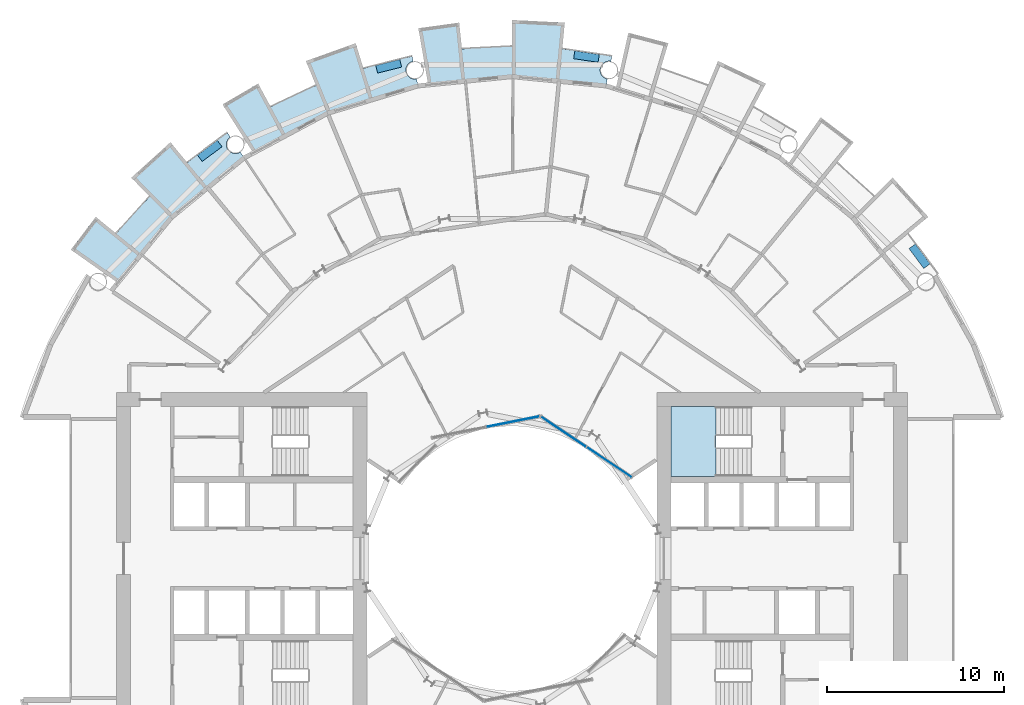
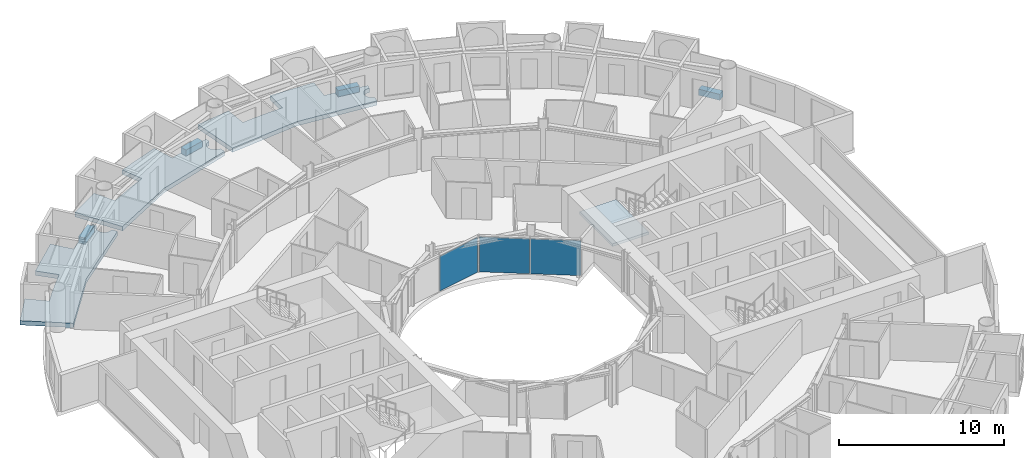
# One storey, part 11 of 26: 8 slabs, 3 plates, 3 elements without a shape of their own.
"""IFC4 building model written with IfcOpenShell, lengths in metres."""

from ifc_helpers import new_model, si_unit, direction, frame, origin, origin_2d, place, context, subcontext, project, spatial, polyline, rectangle, outline, extrude, material, layer, layer_set, type_object, element, aggregate, save


model = new_model("IFC4")

# Units and contexts
model_context = context("Model", 3, precision=1e-05, world=origin(), true_north=direction((0.0, 1.0)))
body_context = subcontext(model_context, "Body", "Model", "MODEL_VIEW")
ifc_project = project(units=[si_unit("LENGTHUNIT", "METRE"), si_unit("AREAUNIT", "SQUARE_METRE"), si_unit("VOLUMEUNIT", "CUBIC_METRE"), si_unit("PLANEANGLEUNIT", "RADIAN"), si_unit("MASSUNIT", "GRAM", prefix="KILO")], contexts=[model_context])

# Site, building, storey
site_placement = place(None, origin())
site = spatial("IfcSite", under=ifc_project, at=site_placement, CompositionType="ELEMENT")
building_placement = place(site_placement, origin())
building = spatial("IfcBuilding", under=site, at=building_placement, Name="Maasbend Ring Residences", CompositionType="ELEMENT")
storey_placement = place(building_placement, frame((0.0, 0.0, 31.949951171875)))
storey = spatial("IfcBuildingStorey", under=building, at=storey_placement, Name="L08", CompositionType="ELEMENT", Elevation=31.949951171875)

# Stair, slab
ifc_material_1 = material(Name="Concrete C40/50", Category="concrete")
stair_type = type_object("IfcStairType", Name="CORE STAIR 18 RISERS", PredefinedType="HALF_TURN_STAIR", material=ifc_material_1)
stair_placement = place(storey_placement, origin())
stair = element("IfcStair", 1, at=stair_placement, inside=storey, type_object=stair_type, Name="L08 Exit stair ST-E1", PredefinedType="HALF_TURN_STAIR")
ifc_material_2 = material(Name="Concrete C40/50", Category="concrete")
ifc_layer_1 = layer(ifc_material_2, 0.199951171875)
ifc_layer_set_1 = layer_set([ifc_layer_1], Name="Concrete C40/50")
slab_type_1 = type_object("IfcSlabType", Name="CORE STAIR LANDING 200", PredefinedType="LANDING", material=ifc_layer_set_1)
slab_1_placement = place(storey_placement, frame((0.0, 0.0, 1.324951171875)))
slab_1 = element("IfcSlab", 2, at=slab_1_placement, type_object=slab_type_1, Name="ST-E1 landing 1", PredefinedType="LANDING", context=body_context, shape_type="SweptSolid", body=[
    extrude(outline(polyline([(11.550048828125, 8.60009765625), (9.0, 8.60009765625), (9.0, 4.64990234375), (11.550048828125, 4.64990234375), (11.550048828125, 8.60009765625)])), origin(), (0.0, 0.0, 1.0), 0.2001953125),
])
aggregate(stair, [slab_1])

# Curtain wall, plates
ifc_material_3 = material(Name="Aluminium and clear glass", Category="aluminium")
ifc_layer_2 = layer(ifc_material_3, 0.179931640625)
ifc_layer_set_2 = layer_set([ifc_layer_2], Name="CW-W")
curtain_wall_type = type_object("IfcCurtainWallType", Name="CW-W", PredefinedType="NOTDEFINED", material=ifc_layer_set_2)
curtain_wall_1_placement = place(storey_placement, origin())
curtain_wall_1 = element("IfcCurtainWall", 3, at=curtain_wall_1_placement, inside=storey, type_object=curtain_wall_type, Name="Well curtain wall N1", PredefinedType="NOTDEFINED")
ifc_material_4 = material(Name="Glass clear laminated", Category="glass")
ifc_layer_3 = layer(ifc_material_4, 0.031982421875)
ifc_layer_set_3 = layer_set([ifc_layer_3], Name="CWP-W")
plate_type = type_object("IfcPlateType", Name="CWP-W", PredefinedType="CURTAIN_PANEL", material=ifc_layer_set_3)
plate_1_placement = place(storey_placement, frame((5.51123046875, 5.44580078125, 0.0), z_axis=(0.0, 0.0, 1.0), x_axis=(-0.831469612303, 0.55557023302, 0.0)))
plate_1 = element("IfcPlate", 4, at=plate_1_placement, type_object=plate_type, Name="Glass panel well face", PredefinedType="CURTAIN_PANEL", context=body_context, shape_type="SweptSolid", body=[
    extrude(rectangle(XDim=3.053955078125, YDim=0.031982421875, at=origin_2d()), origin(), (0.0, 0.0, 1.0), 2.580078125),
])
plate_2_placement = place(storey_placement, frame((2.922119140625, 7.17578125, 0.0), z_axis=(0.0, 0.0, 1.0), x_axis=(-0.831469612303, 0.55557023302, 0.0)))
plate_2 = element("IfcPlate", 5, at=plate_2_placement, type_object=plate_type, Name="Glass panel well face", PredefinedType="CURTAIN_PANEL", context=body_context, shape_type="SweptSolid", body=[
    extrude(rectangle(XDim=3.053955078125, YDim=0.031982421875, at=origin_2d()), origin(), (0.0, 0.0, 1.0), 2.580078125),
])
aggregate(curtain_wall_1, [plate_1, plate_2])

# Curtain wall, plate
curtain_wall_2_placement = place(storey_placement, origin())
curtain_wall_2 = element("IfcCurtainWall", 6, at=curtain_wall_2_placement, inside=storey, type_object=curtain_wall_type, Name="Well curtain wall N2", PredefinedType="NOTDEFINED")
plate_3_placement = place(storey_placement, frame((0.04638671875, 7.747802734375, 0.0), z_axis=(0.0, 0.0, 1.0), x_axis=(-0.980785280403, -0.195090322016, 0.0)))
plate_3 = element("IfcPlate", 7, at=plate_3_placement, type_object=plate_type, Name="Glass panel well face", PredefinedType="CURTAIN_PANEL", context=body_context, shape_type="SweptSolid", body=[
    extrude(rectangle(XDim=3.053955078125, YDim=0.031982421875, at=origin_2d()), origin(), (0.0, 0.0, 1.0), 2.580078125),
])
aggregate(curtain_wall_2, [plate_3])

# Slabs
ifc_material_5 = material(Name="Planting with climbing greenery")
ifc_layer_4 = layer(ifc_material_5, 0.449951171875)
ifc_layer_set_4 = layer_set([ifc_layer_4], Name="PLANTER-LG")
slab_type_2 = type_object("IfcSlabType", Name="PLANTER-LG", PredefinedType="USERDEFINED", material=ifc_layer_set_4)
slab_2_placement = place(storey_placement, frame((0.0, 0.0, -0.030029296875)))
element("IfcSlab", 8, at=slab_2_placement, inside=storey, type_object=slab_type_2, Name="Planter with climbing greenery 1", ObjectType="PLANTER", PredefinedType="USERDEFINED", context=body_context, shape_type="SweptSolid", body=[
    extrude(outline(polyline([(23.681884765625, 16.69189453125), (22.847900390625, 17.81689453125), (22.487060546875, 17.549072265625), (23.321044921875, 16.424072265625), (23.681884765625, 16.69189453125)])), origin(), (0.0, 0.0, 1.0), 0.4501953125),
])
slab_3_placement = place(storey_placement, frame((0.0, 0.0, -0.030029296875)))
element("IfcSlab", 9, at=slab_3_placement, inside=storey, type_object=slab_type_2, Name="Planter with climbing greenery 3", ObjectType="PLANTER", PredefinedType="USERDEFINED", context=body_context, shape_type="SweptSolid", body=[
    extrude(outline(polyline([(4.94189453125, 28.549072265625), (3.55810546875, 28.75390625), (3.491943359375, 28.30908203125), (4.8759765625, 28.10400390625), (4.94189453125, 28.549072265625)])), origin(), (0.0, 0.0, 1.0), 0.4501953125),
])
slab_4_placement = place(storey_placement, frame((0.0, 0.0, -0.030029296875)))
element("IfcSlab", 10, at=slab_4_placement, inside=storey, type_object=slab_type_2, Name="Planter with climbing greenery 4", ObjectType="PLANTER", PredefinedType="USERDEFINED", context=body_context, shape_type="SweptSolid", body=[
    extrude(outline(polyline([(-6.35888671875, 28.26708984375), (-7.717041015625, 27.927001953125), (-7.60791015625, 27.489990234375), (-6.25, 27.8310546875), (-6.35888671875, 28.26708984375)])), origin(), (0.0, 0.0, 1.0), 0.4501953125),
])
slab_5_placement = place(storey_placement, frame((0.0, 0.0, -0.030029296875)))
element("IfcSlab", 11, at=slab_5_placement, inside=storey, type_object=slab_type_2, Name="Planter with climbing greenery 5", ObjectType="PLANTER", PredefinedType="USERDEFINED", context=body_context, shape_type="SweptSolid", body=[
    extrude(outline(polyline([(-16.69189453125, 23.681884765625), (-17.81689453125, 22.847900390625), (-17.549072265625, 22.487060546875), (-16.424072265625, 23.321044921875), (-16.69189453125, 23.681884765625)])), origin(), (0.0, 0.0, 1.0), 0.4501953125),
])
ifc_material_6 = material(Name="Concrete C40/50", Category="concrete")
ifc_layer_5 = layer(ifc_material_6, 0.199951171875)
ifc_layer_set_5 = layer_set([ifc_layer_5], Name="Concrete C40/50")
slab_type_3 = type_object("IfcSlabType", Name="SL-LOGGIA", PredefinedType="FLOOR", material=ifc_layer_set_5)
slab_6_placement = place(storey_placement, frame((0.0, 0.0, -0.349853515625)))
element("IfcSlab", 12, at=slab_6_placement, inside=storey, type_object=slab_type_3, Name="Loggia floor 2", PredefinedType="FLOOR", context=body_context, shape_type="SweptSolid", body=[
    extrude(outline(polyline([(-13.6708984375, 25.575927734375), (-13.6708984375, 25.575927734375), (-13.6708984375, 25.575927734375), (-13.6708984375, 25.575927734375), (-13.6708984375, 25.575927734375), (-13.6708984375, 25.575927734375), (-13.6708984375, 25.575927734375), (-13.669921875, 25.575927734375), (-13.669921875, 25.575927734375), (-13.669921875, 25.575927734375), (-13.669921875, 25.575927734375), (-13.669921875, 25.575927734375), (-13.669921875, 25.575927734375), (-13.669921875, 25.575927734375), (-13.669921875, 25.575927734375), (-13.669921875, 25.575927734375), (-13.669921875, 25.575927734375), (-12.825927734375, 26.009033203125), (-12.825927734375, 26.009033203125), (-11.968994140625, 26.4150390625), (-11.968994140625, 26.4150390625), (-11.097900390625, 26.7919921875), (-11.097900390625, 26.7919921875), (-11.097900390625, 26.7919921875), (-11.097900390625, 26.7919921875), (-11.097900390625, 26.7919921875), (-11.097900390625, 26.7919921875), (-11.097900390625, 26.7919921875), (-11.097900390625, 26.79296875), (-11.097900390625, 26.79296875), (-11.097900390625, 26.79296875), (-11.097900390625, 26.79296875), (-11.097900390625, 26.79296875), (-11.097900390625, 26.79296875), (-11.097900390625, 26.79296875), (-11.097900390625, 26.79296875), (-11.097900390625, 26.79296875), (-11.097900390625, 26.79296875), (-11.672119140625, 28.177978515625), (-11.672119140625, 28.177978515625), (-11.672119140625, 28.177978515625), (-8.85400390625, 29.18701171875), (-8.85400390625, 29.18701171875), (-8.85400390625, 29.18701171875), (-8.41796875, 27.751953125), (-8.41796875, 27.751953125), (-8.41796875, 27.751953125), (-8.41796875, 27.751953125), (-8.41796875, 27.751953125), (-8.41796875, 27.751953125), (-8.41796875, 27.751953125), (-8.41796875, 27.7509765625), (-8.41796875, 27.7509765625), (-8.41796875, 27.7509765625), (-8.41796875, 27.7509765625), (-8.41796875, 27.7509765625), (-8.41796875, 27.7509765625), (-8.41796875, 27.7509765625), (-8.41796875, 27.7509765625), (-8.41796875, 27.7509765625), (-8.41796875, 27.7509765625), (-7.506103515625, 28.011962890625), (-7.506103515625, 28.011962890625), (-6.5849609375, 28.241943359375), (-6.5849609375, 28.241943359375), (-5.657958984375, 28.443115234375), (-5.657958984375, 28.443115234375), (-5.657958984375, 28.443115234375), (-5.60107421875, 28.156005859375), (-5.613037109375, 28.154052734375), (-5.625, 28.15087890625), (-5.636962890625, 28.14794921875), (-5.64892578125, 28.14404296875), (-5.660888671875, 28.139892578125), (-5.673095703125, 28.135986328125), (-5.68408203125, 28.132080078125), (-5.696044921875, 28.126953125), (-5.70703125, 28.123046875), (-5.718994140625, 28.116943359375), (-5.72998046875, 28.112060546875), (-5.740966796875, 28.10595703125), (-5.751953125, 28.10009765625), (-5.762939453125, 28.093994140625), (-5.77294921875, 28.0869140625), (-5.783935546875, 28.080078125), (-5.7939453125, 28.072998046875), (-5.803955078125, 28.06591796875), (-5.81396484375, 28.05908203125), (-5.823974609375, 28.051025390625), (-5.8330078125, 28.04296875), (-5.843017578125, 28.034912109375), (-5.85205078125, 28.02587890625), (-5.861083984375, 28.01708984375), (-5.868896484375, 28.008056640625), (-5.8779296875, 27.9990234375), (-5.885986328125, 27.989990234375), (-5.89404296875, 27.97998046875), (-5.902099609375, 27.970947265625), (-5.909912109375, 27.9609375), (-5.9169921875, 27.950927734375), (-5.924072265625, 27.93994140625), (-5.930908203125, 27.929931640625), (-5.93701171875, 27.9189453125), (-5.944091796875, 27.907958984375), (-5.949951171875, 27.89794921875), (-5.955078125, 27.886962890625), (-5.9609375, 27.875), (-5.966064453125, 27.864013671875), (-5.970947265625, 27.85302734375), (-5.97509765625, 27.841064453125), (-5.97998046875, 27.8291015625), (-5.98388671875, 27.81689453125), (-5.988037109375, 27.805908203125), (-5.990966796875, 27.7939453125), (-5.993896484375, 27.781982421875), (-5.9970703125, 27.76904296875), (-6.0, 27.757080078125), (-6.001953125, 27.7451171875), (-6.00390625, 27.73291015625), (-6.006103515625, 27.719970703125), (-6.007080078125, 27.7080078125), (-6.008056640625, 27.695068359375), (-6.009033203125, 27.68310546875), (-6.009033203125, 27.6708984375), (-6.010009765625, 27.657958984375), (-6.009033203125, 27.64599609375), (-6.009033203125, 27.633056640625), (-6.008056640625, 27.62109375), (-6.007080078125, 27.60791015625), (-6.006103515625, 27.595947265625), (-6.00390625, 27.583984375), (-6.001953125, 27.571044921875), (-6.0, 27.55908203125), (-5.9970703125, 27.547119140625), (-5.993896484375, 27.534912109375), (-5.990966796875, 27.52294921875), (-5.988037109375, 27.510986328125), (-5.98388671875, 27.4990234375), (-5.97998046875, 27.487060546875), (-5.97509765625, 27.47509765625), (-5.970947265625, 27.464111328125), (-5.966064453125, 27.451904296875), (-5.9609375, 27.44091796875), (-5.955078125, 27.429931640625), (-5.949951171875, 27.4189453125), (-5.944091796875, 27.407958984375), (-5.93701171875, 27.39697265625), (-5.930908203125, 27.385986328125), (-5.924072265625, 27.3759765625), (-5.9169921875, 27.365966796875), (-5.909912109375, 27.35498046875), (-5.902099609375, 27.345947265625), (-5.89404296875, 27.3359375), (-5.885986328125, 27.325927734375), (-5.8779296875, 27.31689453125), (-5.868896484375, 27.30810546875), (-5.861083984375, 27.299072265625), (-5.85205078125, 27.2900390625), (-5.843017578125, 27.281982421875), (-5.8330078125, 27.27294921875), (-5.823974609375, 27.264892578125), (-5.81396484375, 27.258056640625), (-5.803955078125, 27.25), (-5.7939453125, 27.242919921875), (-5.783935546875, 27.236083984375), (-5.77294921875, 27.22900390625), (-5.762939453125, 27.221923828125), (-5.751953125, 27.216064453125), (-5.740966796875, 27.2099609375), (-5.72998046875, 27.2041015625), (-5.718994140625, 27.198974609375), (-5.70703125, 27.194091796875), (-5.696044921875, 27.18896484375), (-5.68408203125, 27.18408203125), (-5.673095703125, 27.179931640625), (-5.660888671875, 27.176025390625), (-5.64892578125, 27.172119140625), (-5.636962890625, 27.1689453125), (-5.625, 27.1650390625), (-5.613037109375, 27.162109375), (-5.60107421875, 27.159912109375), (-5.587890625, 27.157958984375), (-5.575927734375, 27.156005859375), (-5.56396484375, 27.154052734375), (-5.551025390625, 27.153076171875), (-5.5390625, 27.15087890625), (-5.52587890625, 27.15087890625), (-5.513916015625, 27.14990234375), (-5.501953125, 27.14990234375), (-5.489013671875, 27.14990234375), (-5.47705078125, 27.15087890625), (-5.464111328125, 27.15087890625), (-5.451904296875, 27.153076171875), (-5.43896484375, 27.154052734375), (-5.427001953125, 27.156005859375), (-5.4150390625, 27.157958984375), (-5.402099609375, 27.159912109375), (-5.325927734375, 26.77490234375), (-5.325927734375, 26.77490234375), (-5.325927734375, 26.77490234375), (-7.886962890625, 25.9990234375), (-10.447021484375, 25.221923828125), (-10.447021484375, 25.221923828125), (-10.447021484375, 25.221923828125), (-12.806884765625, 23.9609375), (-14.64599609375, 22.97705078125), (-14.64599609375, 22.97705078125), (-14.64599609375, 22.97705078125), (-16.39404296875, 25.718994140625), (-16.39404296875, 25.718994140625), (-16.39404296875, 25.718994140625), (-14.3779296875, 26.89892578125), (-14.3779296875, 26.89892578125), (-14.3779296875, 26.89892578125), (-13.6708984375, 25.575927734375)])), origin(), (0.0, 0.0, 1.0), 0.31982421875),
])
slab_7_placement = place(storey_placement, frame((0.0, 0.0, -0.349853515625)))
element("IfcSlab", 13, at=slab_7_placement, inside=storey, type_object=slab_type_3, Name="Loggia floor 3", PredefinedType="FLOOR", context=body_context, shape_type="SweptSolid", body=[
    extrude(outline(polyline([(-2.843017578125, 28.861083984375), (-2.843017578125, 28.861083984375), (-2.843017578125, 28.861083984375), (-2.843017578125, 28.861083984375), (-2.842041015625, 28.861083984375), (-2.842041015625, 28.861083984375), (-2.842041015625, 28.861083984375), (-2.842041015625, 28.861083984375), (-2.842041015625, 28.861083984375), (-2.842041015625, 28.860107421875), (-2.842041015625, 28.860107421875), (-2.842041015625, 28.860107421875), (-2.842041015625, 28.860107421875), (-2.842041015625, 28.860107421875), (-2.842041015625, 28.860107421875), (-2.842041015625, 28.860107421875), (-2.842041015625, 28.860107421875), (-1.89697265625, 28.93798828125), (-1.89697265625, 28.93798828125), (-0.948974609375, 28.98388671875), (-0.948974609375, 28.98388671875), (0.0, 29.0), (0.0, 29.0), (0.0, 29.0), (0.0, 29.0), (0.0, 29.0), (0.0, 29.0), (0.0, 29.0), (0.0, 29.0), (0.0, 29.0), (0.0, 29.0), (0.0, 29.0), (0.0, 29.0), (0.0, 29.0), (0.0, 29.0), (0.0, 29.0), (0.0, 29.0), (0.0, 29.0), (0.0, 30.5), (0.0, 30.5), (0.0, 30.5), (2.989990234375, 30.35302734375), (2.989990234375, 30.35302734375), (2.989990234375, 30.35302734375), (2.843017578125, 28.861083984375), (2.843017578125, 28.861083984375), (2.843017578125, 28.861083984375), (2.843017578125, 28.861083984375), (2.843017578125, 28.861083984375), (2.843017578125, 28.861083984375), (2.843017578125, 28.861083984375), (2.843017578125, 28.861083984375), (2.843017578125, 28.860107421875), (2.843017578125, 28.860107421875), (2.843017578125, 28.860107421875), (2.843017578125, 28.860107421875), (2.843017578125, 28.860107421875), (2.843017578125, 28.860107421875), (2.843017578125, 28.860107421875), (2.843017578125, 28.860107421875), (2.843017578125, 28.860107421875), (3.784912109375, 28.751953125), (3.784912109375, 28.751953125), (4.72412109375, 28.613037109375), (4.72412109375, 28.613037109375), (5.657958984375, 28.443115234375), (5.657958984375, 28.443115234375), (5.657958984375, 28.443115234375), (5.60107421875, 28.156005859375), (5.60107421875, 28.156005859375), (5.587890625, 28.158935546875), (5.575927734375, 28.160888671875), (5.56396484375, 28.162109375), (5.551025390625, 28.1640625), (5.5390625, 28.1650390625), (5.52587890625, 28.1650390625), (5.513916015625, 28.166015625), (5.501953125, 28.166015625), (5.489013671875, 28.166015625), (5.47705078125, 28.1650390625), (5.464111328125, 28.1650390625), (5.451904296875, 28.1640625), (5.43896484375, 28.162109375), (5.427001953125, 28.160888671875), (5.4150390625, 28.158935546875), (5.402099609375, 28.156005859375), (5.389892578125, 28.154052734375), (5.3779296875, 28.15087890625), (5.365966796875, 28.14794921875), (5.35400390625, 28.14404296875), (5.342041015625, 28.139892578125), (5.330078125, 28.135986328125), (5.319091796875, 28.132080078125), (5.306884765625, 28.126953125), (5.2958984375, 28.123046875), (5.283935546875, 28.116943359375), (5.27294921875, 28.112060546875), (5.261962890625, 28.10595703125), (5.2509765625, 28.10009765625), (5.239990234375, 28.093994140625), (5.22998046875, 28.0869140625), (5.218994140625, 28.080078125), (5.208984375, 28.072998046875), (5.198974609375, 28.06591796875), (5.18896484375, 28.05908203125), (5.178955078125, 28.051025390625), (5.169921875, 28.04296875), (5.159912109375, 28.034912109375), (5.15087890625, 28.02587890625), (5.14208984375, 28.01708984375), (5.134033203125, 28.008056640625), (5.125, 27.9990234375), (5.116943359375, 27.989990234375), (5.10888671875, 27.97998046875), (5.10107421875, 27.970947265625), (5.093017578125, 27.9609375), (5.0859375, 27.950927734375), (5.0791015625, 27.93994140625), (5.072021484375, 27.929931640625), (5.06591796875, 27.9189453125), (5.05908203125, 27.907958984375), (5.052978515625, 27.89794921875), (5.048095703125, 27.886962890625), (5.0419921875, 27.875), (5.037109375, 27.864013671875), (5.031982421875, 27.85302734375), (5.028076171875, 27.841064453125), (5.02294921875, 27.8291015625), (5.01904296875, 27.81689453125), (5.014892578125, 27.805908203125), (5.011962890625, 27.7939453125), (5.009033203125, 27.781982421875), (5.006103515625, 27.76904296875), (5.0029296875, 27.757080078125), (5.0009765625, 27.7451171875), (4.9990234375, 27.73291015625), (4.9970703125, 27.719970703125), (4.99609375, 27.7080078125), (4.9951171875, 27.695068359375), (4.993896484375, 27.68310546875), (4.993896484375, 27.6708984375), (4.993896484375, 27.657958984375), (4.993896484375, 27.64599609375), (4.993896484375, 27.633056640625), (4.9951171875, 27.62109375), (4.99609375, 27.60791015625), (4.9970703125, 27.595947265625), (4.9990234375, 27.583984375), (5.0009765625, 27.571044921875), (5.0029296875, 27.55908203125), (5.006103515625, 27.547119140625), (5.009033203125, 27.534912109375), (5.011962890625, 27.52294921875), (5.014892578125, 27.510986328125), (5.01904296875, 27.4990234375), (5.02294921875, 27.487060546875), (5.028076171875, 27.47509765625), (5.031982421875, 27.464111328125), (5.037109375, 27.451904296875), (5.0419921875, 27.44091796875), (5.048095703125, 27.429931640625), (5.052978515625, 27.4189453125), (5.05908203125, 27.407958984375), (5.06591796875, 27.39697265625), (5.072021484375, 27.385986328125), (5.0791015625, 27.3759765625), (5.0859375, 27.365966796875), (5.093017578125, 27.35498046875), (5.10107421875, 27.345947265625), (5.10888671875, 27.3359375), (5.116943359375, 27.325927734375), (5.125, 27.31689453125), (5.134033203125, 27.30810546875), (5.14208984375, 27.299072265625), (5.15087890625, 27.2900390625), (5.159912109375, 27.281982421875), (5.169921875, 27.27294921875), (5.178955078125, 27.264892578125), (5.18896484375, 27.258056640625), (5.198974609375, 27.25), (5.208984375, 27.242919921875), (5.218994140625, 27.236083984375), (5.22998046875, 27.22900390625), (5.239990234375, 27.221923828125), (5.2509765625, 27.216064453125), (5.261962890625, 27.2099609375), (5.27294921875, 27.2041015625), (5.283935546875, 27.198974609375), (5.2958984375, 27.194091796875), (5.306884765625, 27.18896484375), (5.319091796875, 27.18408203125), (5.330078125, 27.179931640625), (5.342041015625, 27.176025390625), (5.35400390625, 27.172119140625), (5.365966796875, 27.1689453125), (5.3779296875, 27.1650390625), (5.389892578125, 27.162109375), (5.402099609375, 27.159912109375), (5.402099609375, 27.159912109375), (5.325927734375, 26.77490234375), (5.325927734375, 26.77490234375), (5.325927734375, 26.77490234375), (2.6630859375, 27.0380859375), (0.0, 27.300048828125), (0.0, 27.300048828125), (0.0, 27.300048828125), (-2.6630859375, 27.0380859375), (-4.739013671875, 26.8330078125), (-4.739013671875, 26.8330078125), (-4.739013671875, 26.8330078125), (-5.303955078125, 30.034912109375), (-5.303955078125, 30.034912109375), (-5.303955078125, 30.034912109375), (-2.989990234375, 30.35302734375), (-2.989990234375, 30.35302734375), (-2.989990234375, 30.35302734375), (-2.843017578125, 28.861083984375)])), origin(), (0.0, 0.0, 1.0), 0.31982421875),
])
slab_8_placement = place(storey_placement, frame((0.0, 0.0, -0.349853515625)))
element("IfcSlab", 14, at=slab_8_placement, inside=storey, type_object=slab_type_3, Name="Loggia floor 5", PredefinedType="FLOOR", context=body_context, shape_type="SweptSolid", body=[
    extrude(outline(polyline([(-22.41796875, 18.39794921875), (-22.41796875, 18.39794921875), (-22.41796875, 18.39794921875), (-22.41796875, 18.39794921875), (-22.41796875, 18.39794921875), (-22.4169921875, 18.39794921875), (-22.4169921875, 18.39794921875), (-22.4169921875, 18.39794921875), (-22.4169921875, 18.39794921875), (-22.4169921875, 18.39794921875), (-22.4169921875, 18.39794921875), (-22.4169921875, 18.39794921875), (-22.4169921875, 18.39794921875), (-22.4169921875, 18.39794921875), (-22.4169921875, 18.39794921875), (-22.4169921875, 18.39794921875), (-22.4169921875, 18.39794921875), (-21.802978515625, 19.12109375), (-21.802978515625, 19.12109375), (-21.166015625, 19.823974609375), (-21.166015625, 19.823974609375), (-20.506103515625, 20.506103515625), (-20.506103515625, 20.506103515625), (-20.506103515625, 20.506103515625), (-20.506103515625, 20.506103515625), (-20.506103515625, 20.506103515625), (-20.506103515625, 20.506103515625), (-20.506103515625, 20.506103515625), (-20.506103515625, 20.506103515625), (-20.506103515625, 20.506103515625), (-20.506103515625, 20.506103515625), (-20.506103515625, 20.506103515625), (-20.506103515625, 20.506103515625), (-20.506103515625, 20.506103515625), (-20.506103515625, 20.506103515625), (-20.506103515625, 20.506103515625), (-20.506103515625, 20.506103515625), (-20.506103515625, 20.506103515625), (-21.56689453125, 21.56689453125), (-21.56689453125, 21.56689453125), (-21.56689453125, 21.56689453125), (-19.34912109375, 23.576904296875), (-19.34912109375, 23.576904296875), (-19.34912109375, 23.576904296875), (-18.39794921875, 22.41796875), (-18.39794921875, 22.41796875), (-18.39794921875, 22.41796875), (-18.39794921875, 22.41796875), (-18.39794921875, 22.41796875), (-18.39794921875, 22.41796875), (-18.39697265625, 22.41796875), (-18.39697265625, 22.41796875), (-18.39697265625, 22.41796875), (-18.39697265625, 22.41796875), (-18.39697265625, 22.41796875), (-18.39697265625, 22.41796875), (-18.39697265625, 22.41796875), (-18.39697265625, 22.41796875), (-18.39697265625, 22.41796875), (-18.39697265625, 22.41796875), (-18.39697265625, 22.41796875), (-17.654052734375, 23.007080078125), (-17.654052734375, 23.007080078125), (-16.89208984375, 23.572998046875), (-16.89208984375, 23.572998046875), (-16.112060546875, 24.113037109375), (-16.112060546875, 24.113037109375), (-16.112060546875, 24.113037109375), (-15.948974609375, 23.8701171875), (-15.948974609375, 23.8701171875), (-15.9599609375, 23.863037109375), (-15.969970703125, 23.85498046875), (-15.97998046875, 23.847900390625), (-15.989013671875, 23.840087890625), (-15.9990234375, 23.83203125), (-16.008056640625, 23.823974609375), (-16.01708984375, 23.81494140625), (-16.02587890625, 23.806884765625), (-16.034912109375, 23.798095703125), (-16.0439453125, 23.7890625), (-16.052001953125, 23.779052734375), (-16.06005859375, 23.77001953125), (-16.068115234375, 23.760009765625), (-16.074951171875, 23.75), (-16.08203125, 23.739990234375), (-16.089111328125, 23.72998046875), (-16.095947265625, 23.718994140625), (-16.10302734375, 23.708984375), (-16.10888671875, 23.697998046875), (-16.114990234375, 23.68701171875), (-16.12109375, 23.676025390625), (-16.1259765625, 23.6650390625), (-16.132080078125, 23.653076171875), (-16.135986328125, 23.64208984375), (-16.14111328125, 23.6298828125), (-16.14501953125, 23.618896484375), (-16.14892578125, 23.60693359375), (-16.153076171875, 23.594970703125), (-16.156982421875, 23.5830078125), (-16.159912109375, 23.571044921875), (-16.1630859375, 23.55908203125), (-16.1650390625, 23.547119140625), (-16.16796875, 23.533935546875), (-16.169921875, 23.52197265625), (-16.1708984375, 23.510009765625), (-16.173095703125, 23.4970703125), (-16.174072265625, 23.485107421875), (-16.174072265625, 23.471923828125), (-16.175048828125, 23.4599609375), (-16.175048828125, 23.447021484375), (-16.175048828125, 23.43505859375), (-16.174072265625, 23.422119140625), (-16.174072265625, 23.409912109375), (-16.173095703125, 23.39794921875), (-16.1708984375, 23.385009765625), (-16.169921875, 23.373046875), (-16.16796875, 23.361083984375), (-16.1650390625, 23.347900390625), (-16.1630859375, 23.3359375), (-16.159912109375, 23.323974609375), (-16.156982421875, 23.31201171875), (-16.153076171875, 23.300048828125), (-16.14892578125, 23.2880859375), (-16.14501953125, 23.27587890625), (-16.14111328125, 23.264892578125), (-16.135986328125, 23.2529296875), (-16.132080078125, 23.241943359375), (-16.1259765625, 23.22998046875), (-16.12109375, 23.218994140625), (-16.114990234375, 23.2080078125), (-16.10888671875, 23.197021484375), (-16.10302734375, 23.18603515625), (-16.095947265625, 23.176025390625), (-16.089111328125, 23.1650390625), (-16.08203125, 23.155029296875), (-16.074951171875, 23.14501953125), (-16.068115234375, 23.135009765625), (-16.06005859375, 23.125), (-16.052001953125, 23.115966796875), (-16.0439453125, 23.10595703125), (-16.034912109375, 23.096923828125), (-16.02587890625, 23.087890625), (-16.01708984375, 23.0791015625), (-16.008056640625, 23.071044921875), (-15.9990234375, 23.06298828125), (-15.989013671875, 23.054931640625), (-15.97998046875, 23.047119140625), (-15.969970703125, 23.0390625), (-15.9599609375, 23.031982421875), (-15.948974609375, 23.02490234375), (-15.93896484375, 23.01806640625), (-15.927978515625, 23.011962890625), (-15.9169921875, 23.0048828125), (-15.906982421875, 22.9990234375), (-15.89599609375, 22.993896484375), (-15.884033203125, 22.988037109375), (-15.873046875, 22.98291015625), (-15.862060546875, 22.97802734375), (-15.85009765625, 22.972900390625), (-15.837890625, 22.968994140625), (-15.825927734375, 22.965087890625), (-15.81494140625, 22.9609375), (-15.802978515625, 22.9580078125), (-15.791015625, 22.955078125), (-15.778076171875, 22.951904296875), (-15.76611328125, 22.948974609375), (-15.75390625, 22.947021484375), (-15.741943359375, 22.945068359375), (-15.72900390625, 22.943115234375), (-15.717041015625, 22.94189453125), (-15.7041015625, 22.94091796875), (-15.69189453125, 22.93994140625), (-15.679931640625, 22.93994140625), (-15.6669921875, 22.93896484375), (-15.655029296875, 22.93994140625), (-15.64208984375, 22.93994140625), (-15.6298828125, 22.94091796875), (-15.616943359375, 22.94189453125), (-15.60498046875, 22.943115234375), (-15.593017578125, 22.945068359375), (-15.580078125, 22.947021484375), (-15.568115234375, 22.948974609375), (-15.555908203125, 22.951904296875), (-15.5439453125, 22.955078125), (-15.531982421875, 22.9580078125), (-15.52001953125, 22.9609375), (-15.508056640625, 22.965087890625), (-15.49609375, 22.968994140625), (-15.48388671875, 22.972900390625), (-15.472900390625, 22.97802734375), (-15.4609375, 22.98291015625), (-15.449951171875, 22.988037109375), (-15.43896484375, 22.993896484375), (-15.427978515625, 22.9990234375), (-15.4169921875, 23.0048828125), (-15.406005859375, 23.011962890625), (-15.39501953125, 23.01806640625), (-15.385009765625, 23.02490234375), (-15.385009765625, 23.02490234375), (-15.1669921875, 22.698974609375), (-15.1669921875, 22.698974609375), (-15.1669921875, 22.698974609375), (-17.236083984375, 21.001953125), (-19.303955078125, 19.303955078125), (-19.303955078125, 19.303955078125), (-19.303955078125, 19.303955078125), (-21.001953125, 17.236083984375), (-22.324951171875, 15.623046875), (-22.324951171875, 15.623046875), (-22.324951171875, 15.623046875), (-24.989013671875, 17.488037109375), (-24.989013671875, 17.488037109375), (-24.989013671875, 17.488037109375), (-23.576904296875, 19.34912109375), (-23.576904296875, 19.34912109375), (-23.576904296875, 19.34912109375), (-22.41796875, 18.39794921875)])), origin(), (0.0, 0.0, 1.0), 0.31982421875),
])

save(model, "model.ifc")
